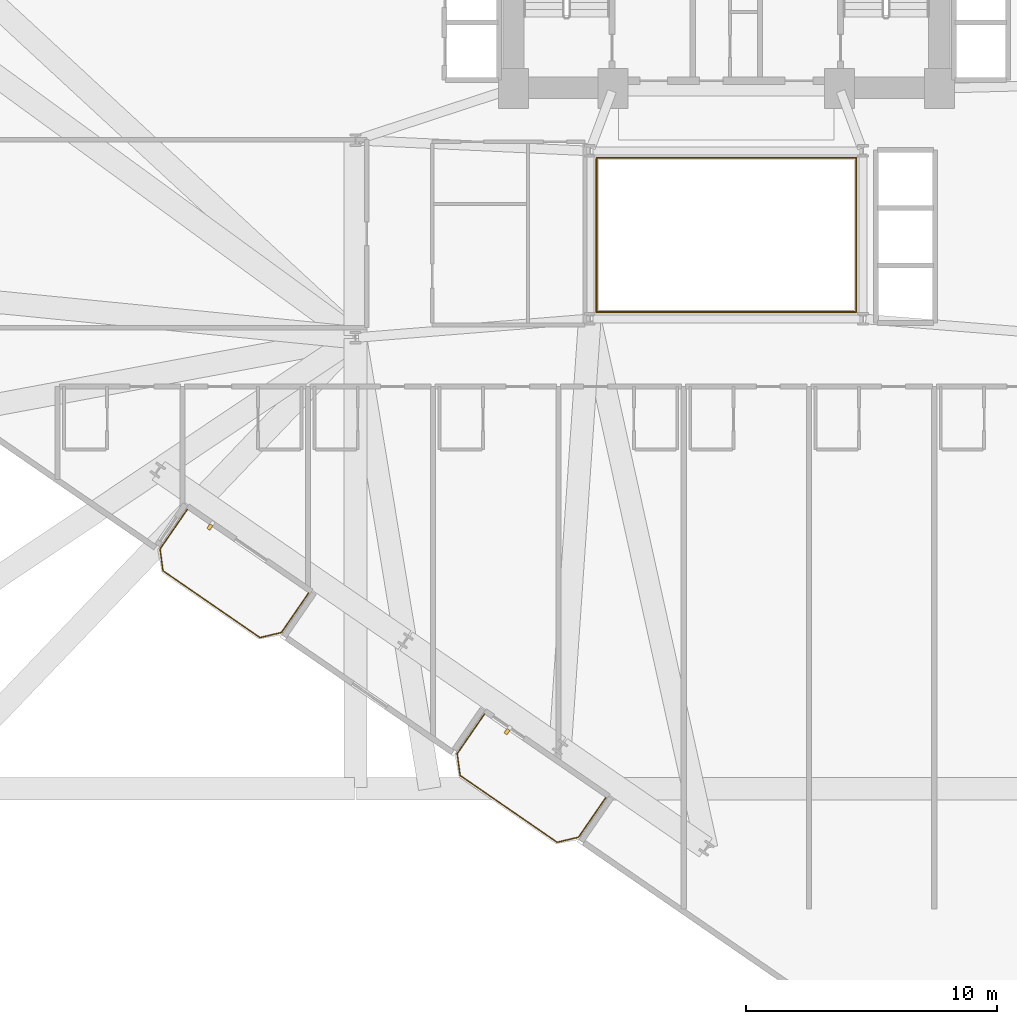
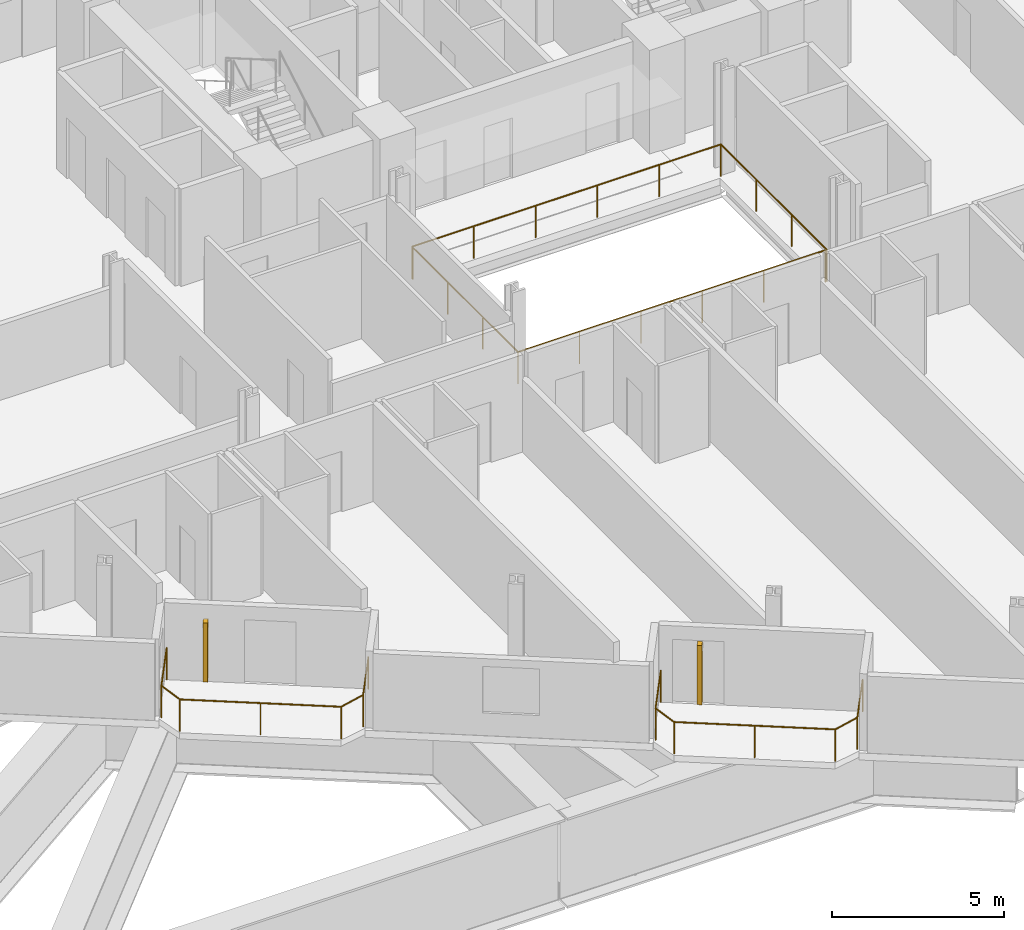
# One storey, part 24 of 26: 4 railings, 2 shading devices.
"""IFC4 building model written with IfcOpenShell, lengths in metres."""

from ifc_helpers import new_model, si_unit, direction, frame, origin, origin_2d, place, context, subcontext, project, spatial, rectangle, circle, extrude, source, transform, mapped, material, type_object, element, save


model = new_model("IFC4")

# Units and contexts
model_context = context("Model", 3, precision=1e-05, world=origin(), true_north=direction((0.0, 1.0)))
body_context = subcontext(model_context, "Body", "Model", "MODEL_VIEW")
ifc_project = project(units=[si_unit("LENGTHUNIT", "METRE"), si_unit("AREAUNIT", "SQUARE_METRE"), si_unit("VOLUMEUNIT", "CUBIC_METRE"), si_unit("PLANEANGLEUNIT", "RADIAN"), si_unit("MASSUNIT", "GRAM", prefix="KILO")], contexts=[model_context])

# Site, building, storey
site_placement = place(None, origin())
site = spatial("IfcSite", under=ifc_project, at=site_placement, CompositionType="ELEMENT")
building_placement = place(site_placement, origin())
building = spatial("IfcBuilding", under=site, at=building_placement, Name="Varnelok Gate Tower", CompositionType="ELEMENT")
storey_placement = place(building_placement, frame((0.0, 0.0, 27.0)))
storey = spatial("IfcBuildingStorey", under=building, at=storey_placement, Name="L05", CompositionType="ELEMENT", Elevation=27.0)

# Railings
ifc_material_1 = material(Name="Tempered Laminated Balustrade Glass", Category="glass")
railing_type_1 = type_object("IfcRailingType", Name="RL-ATR-GUARD1150", PredefinedType="GUARDRAIL", material=ifc_material_1)
railing_1_placement = place(storey_placement, frame((34.02001953125, 25.929931640625, 0.0)))
element("IfcRailing", 1, at=railing_1_placement, inside=storey, type_object=railing_type_1, Name="L05 Internal Atrium South-West Guardrail", PredefinedType="GUARDRAIL", context=body_context, shape_type="SweptSolid", body=[
    extrude(circle(Radius=0.02392578125, at=origin_2d()), frame((0.0, 0.0, 1.1259765625), z_axis=(0.0, -1.0, 0.0), x_axis=(1.0, 0.0, 0.0)), (0.0, 0.0, 1.0), 6.10986328125),
    extrude(circle(Radius=0.02392578125, at=origin_2d()), frame((0.0, -6.10986328125, 1.1259765625), z_axis=(1.0, 0.0, 0.0), x_axis=(0.0, 1.0, 0.0)), (0.0, 0.0, 1.0), 10.31005859375),
    extrude(circle(Radius=0.02099609375, at=origin_2d()), origin(), (0.0, 0.0, 1.0), 1.101806640625),
    extrude(circle(Radius=0.02099609375, at=origin_2d()), frame((0.0, -2.03662109375, 0.0)), (0.0, 0.0, 1.0), 1.101806640625),
    extrude(circle(Radius=0.02099609375, at=origin_2d()), frame((0.0, -4.0732421875, 0.0)), (0.0, 0.0, 1.0), 1.101806640625),
    extrude(circle(Radius=0.02099609375, at=origin_2d()), frame((0.0, -6.10986328125, 0.0)), (0.0, 0.0, 1.0), 1.101806640625),
    extrude(circle(Radius=0.02099609375, at=origin_2d()), frame((2.06201171875, -6.10986328125, 0.0)), (0.0, 0.0, 1.0), 1.101806640625),
    extrude(circle(Radius=0.02099609375, at=origin_2d()), frame((4.1240234375, -6.10986328125, 0.0)), (0.0, 0.0, 1.0), 1.101806640625),
    extrude(circle(Radius=0.02099609375, at=origin_2d()), frame((6.18603515625, -6.10986328125, 0.0)), (0.0, 0.0, 1.0), 1.101806640625),
    extrude(circle(Radius=0.02099609375, at=origin_2d()), frame((8.248046875, -6.10986328125, 0.0)), (0.0, 0.0, 1.0), 1.101806640625),
    extrude(circle(Radius=0.02099609375, at=origin_2d()), frame((10.31005859375, -6.10986328125, 0.0)), (0.0, 0.0, 1.0), 1.101806640625),
])
railing_2_placement = place(storey_placement, frame((44.3798828125, 19.820068359375, 0.0)))
element("IfcRailing", 2, at=railing_2_placement, inside=storey, type_object=railing_type_1, Name="L05 Internal Atrium North-East Guardrail", PredefinedType="GUARDRAIL", context=body_context, shape_type="SweptSolid", body=[
    extrude(circle(Radius=0.02392578125, at=origin_2d()), frame((0.0, 0.0, 1.1259765625), z_axis=(0.0, 1.0, 0.0), x_axis=(-1.0, 0.0, 0.0)), (0.0, 0.0, 1.0), 6.159912109375),
    extrude(circle(Radius=0.02392578125, at=origin_2d()), frame((0.0, 6.159912109375, 1.1259765625), z_axis=(-1.0, 0.0, 0.0), x_axis=(0.0, -1.0, 0.0)), (0.0, 0.0, 1.0), 10.35986328125),
    extrude(circle(Radius=0.02099609375, at=origin_2d()), origin(), (0.0, 0.0, 1.0), 1.101806640625),
    extrude(circle(Radius=0.02099609375, at=origin_2d()), frame((0.0, 2.05322265625, 0.0)), (0.0, 0.0, 1.0), 1.101806640625),
    extrude(circle(Radius=0.02099609375, at=origin_2d()), frame((0.0, 4.106689453125, 0.0)), (0.0, 0.0, 1.0), 1.101806640625),
    extrude(circle(Radius=0.02099609375, at=origin_2d()), frame((0.0, 6.159912109375, 0.0)), (0.0, 0.0, 1.0), 1.101806640625),
    extrude(circle(Radius=0.02099609375, at=origin_2d()), frame((-2.072021484375, 6.159912109375, 0.0)), (0.0, 0.0, 1.0), 1.101806640625),
    extrude(circle(Radius=0.02099609375, at=origin_2d()), frame((-4.14404296875, 6.159912109375, 0.0)), (0.0, 0.0, 1.0), 1.101806640625),
    extrude(circle(Radius=0.02099609375, at=origin_2d()), frame((-6.2158203125, 6.159912109375, 0.0)), (0.0, 0.0, 1.0), 1.101806640625),
    extrude(circle(Radius=0.02099609375, at=origin_2d()), frame((-8.287841796875, 6.159912109375, 0.0)), (0.0, 0.0, 1.0), 1.101806640625),
    extrude(circle(Radius=0.02099609375, at=origin_2d()), frame((-10.35986328125, 6.159912109375, 0.0)), (0.0, 0.0, 1.0), 1.101806640625),
])
ifc_material_2 = material(Name="Low-E Laminated Double Glazing IGU", Category="glass")
railing_type_2 = type_object("IfcRailingType", Name="RL-BALC-1150", PredefinedType="BALUSTRADE", material=ifc_material_2)
railing_3_placement = place(storey_placement, frame((17.688720703125, 11.9462890625, 0.0)))
element("IfcRailing", 3, at=railing_3_placement, inside=storey, type_object=railing_type_2, Name="L05 South Terrace Balustrade 1", PredefinedType="BALUSTRADE", context=body_context, shape_type="SweptSolid", body=[
    extrude(circle(Radius=0.02392578125, at=origin_2d()), frame((0.0, 0.0, 1.1259765625), z_axis=(-0.567224752248, -0.823563039747, 0.0), x_axis=(0.823563039747, -0.567224752248, 0.0)), (0.0, 0.0, 1.0), 1.920166015625),
    extrude(circle(Radius=0.02392578125, at=origin_2d()), frame((-1.089111328125, -1.581298828125, 1.1259765625), z_axis=(0.133511834152, -0.991047218926, 0.0), x_axis=(0.991047218926, 0.133511834152, 0.0)), (0.0, 0.0, 1.0), 0.877685546875),
    extrude(circle(Radius=0.02392578125, at=origin_2d()), frame((-0.971923828125, -2.451171875, 1.1259765625), z_axis=(0.823523239622, -0.567282534371, 0.0), x_axis=(0.567282534371, 0.823523239622, 0.0)), (0.0, 0.0, 1.0), 4.699951171875),
    extrude(circle(Radius=0.02392578125, at=origin_2d()), frame((2.898681640625, -5.117431640625, 1.1259765625), z_axis=(0.973573806257, 0.228372598553, 0.0), x_axis=(-0.228372598553, 0.973573806257, 0.0)), (0.0, 0.0, 1.0), 0.877685546875),
    extrude(circle(Radius=0.02392578125, at=origin_2d()), frame((3.753173828125, -4.9169921875, 1.1259765625), z_axis=(0.567224752248, 0.823563039747, 0.0), x_axis=(-0.823563039747, 0.567224752248, 0.0)), (0.0, 0.0, 1.0), 1.920166015625),
    extrude(circle(Radius=0.02099609375, at=origin_2d()), origin(), (0.0, 0.0, 1.0), 1.101806640625),
    extrude(circle(Radius=0.02099609375, at=origin_2d()), frame((-1.089111328125, -1.581298828125, 0.0)), (0.0, 0.0, 1.0), 1.101806640625),
    extrude(circle(Radius=0.02099609375, at=origin_2d()), frame((-0.971923828125, -2.451171875, 0.0)), (0.0, 0.0, 1.0), 1.101806640625),
    extrude(circle(Radius=0.02099609375, at=origin_2d()), frame((0.96337890625, -3.7841796875, 0.0)), (0.0, 0.0, 1.0), 1.101806640625),
    extrude(circle(Radius=0.02099609375, at=origin_2d()), frame((2.898681640625, -5.117431640625, 0.0)), (0.0, 0.0, 1.0), 1.101806640625),
    extrude(circle(Radius=0.02099609375, at=origin_2d()), frame((3.753173828125, -4.9169921875, 0.0)), (0.0, 0.0, 1.0), 1.101806640625),
    extrude(circle(Radius=0.02099609375, at=origin_2d()), frame((4.84228515625, -3.335693359375, 0.0)), (0.0, 0.0, 1.0), 1.101806640625),
])
railing_4_placement = place(storey_placement, frame((29.547607421875, 3.777587890625, 0.0)))
element("IfcRailing", 4, at=railing_4_placement, inside=storey, type_object=railing_type_2, Name="L05 South Terrace Balustrade 2", PredefinedType="BALUSTRADE", context=body_context, shape_type="SweptSolid", body=[
    extrude(circle(Radius=0.02392578125, at=origin_2d()), frame((0.0, 0.0, 1.1259765625), z_axis=(-0.567224752248, -0.823563039747, 0.0), x_axis=(0.823563039747, -0.567224752248, 0.0)), (0.0, 0.0, 1.0), 1.920166015625),
    extrude(circle(Radius=0.02392578125, at=origin_2d()), frame((-1.089111328125, -1.581298828125, 1.1259765625), z_axis=(0.133511834152, -0.991047218926, 0.0), x_axis=(0.991047218926, 0.133511834152, 0.0)), (0.0, 0.0, 1.0), 0.877685546875),
    extrude(circle(Radius=0.02392578125, at=origin_2d()), frame((-0.971923828125, -2.451171875, 1.1259765625), z_axis=(0.823523239622, -0.567282534371, 0.0), x_axis=(0.567282534371, 0.823523239622, 0.0)), (0.0, 0.0, 1.0), 4.699951171875),
    extrude(circle(Radius=0.02392578125, at=origin_2d()), frame((2.898681640625, -5.117431640625, 1.1259765625), z_axis=(0.973511928193, 0.228636229993, 0.0), x_axis=(-0.228636229993, 0.973511928193, 0.0)), (0.0, 0.0, 1.0), 0.877685546875),
    extrude(circle(Radius=0.02392578125, at=origin_2d()), frame((3.753173828125, -4.916748046875, 1.1259765625), z_axis=(0.567284155424, 0.82352212296, 0.0), x_axis=(-0.82352212296, 0.567284155424, 0.0)), (0.0, 0.0, 1.0), 1.919921875),
    extrude(circle(Radius=0.02099609375, at=origin_2d()), origin(), (0.0, 0.0, 1.0), 1.101806640625),
    extrude(circle(Radius=0.02099609375, at=origin_2d()), frame((-1.089111328125, -1.581298828125, 0.0)), (0.0, 0.0, 1.0), 1.101806640625),
    extrude(circle(Radius=0.02099609375, at=origin_2d()), frame((-0.971923828125, -2.451171875, 0.0)), (0.0, 0.0, 1.0), 1.101806640625),
    extrude(circle(Radius=0.02099609375, at=origin_2d()), frame((0.96337890625, -3.7841796875, 0.0)), (0.0, 0.0, 1.0), 1.101806640625),
    extrude(circle(Radius=0.02099609375, at=origin_2d()), frame((2.898681640625, -5.117431640625, 0.0)), (0.0, 0.0, 1.0), 1.101806640625),
    extrude(circle(Radius=0.02099609375, at=origin_2d()), frame((3.753173828125, -4.916748046875, 0.0)), (0.0, 0.0, 1.0), 1.101806640625),
    extrude(circle(Radius=0.02099609375, at=origin_2d()), frame((4.84228515625, -3.335693359375, 0.0)), (0.0, 0.0, 1.0), 1.101806640625),
])

# Shading devices
ifc_material_3 = material(Name="Glazed Architectural Terracotta Ceramic", Category="masonry")
shading_device_type = type_object("IfcShadingDeviceType", Name="SHD-TERRA-FIN", PredefinedType="USERDEFINED", material=ifc_material_3)
shared_shape = source(origin(), body_context, "Body", "SweptSolid", [
    extrude(rectangle(XDim=0.139892578125, YDim=0.219970703125, at=origin_2d()), origin(), (0.0, 0.0, 1.0), 2.10009765625),
])
for number, where, z_axis, x_axis, name in (
    (5, (18.587890625, 11.24169921875, 0.099853515625), (0.0, 0.0, 1.0), (0.823532597628, -0.567268949127, 0.0), "L05 Terracotta Ceramic Baguette Sunscreen 1.1"),
    (6, (30.44677734375, 3.072998046875, 0.099853515625), (0.0, 0.0, 1.0), (0.823532597628, -0.567268949127, 0.0), "L05 Terracotta Ceramic Baguette Sunscreen 2.1"),
):
    element("IfcShadingDevice", number, at=place(storey_placement, frame(where, z_axis=z_axis, x_axis=x_axis)), inside=storey, type_object=shading_device_type, Name=name, ObjectType="BAGUETTE", PredefinedType="USERDEFINED", context=body_context, shape_type="MappedRepresentation", body=[
        mapped(shared_shape, transform((0.0, 0.0, 0.0), scale=1.0)),
    ])

save(model, "model.ifc")
